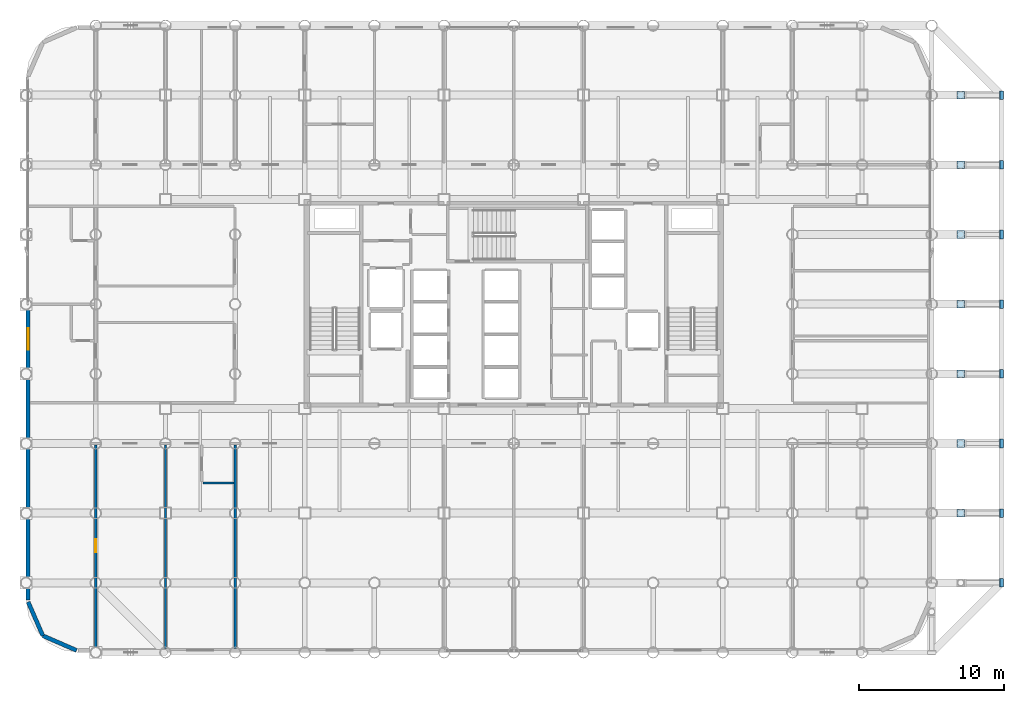
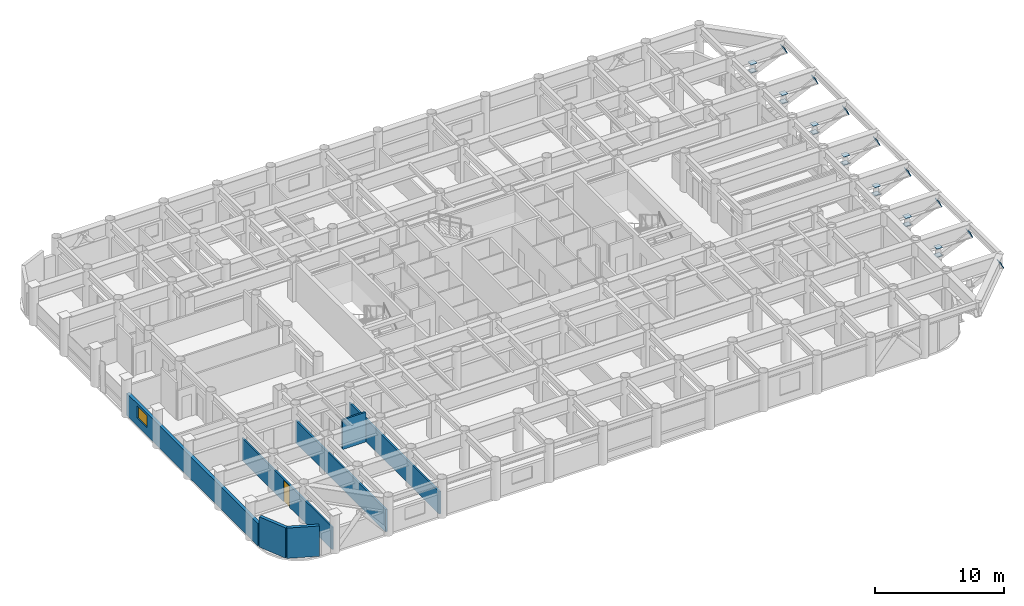
# One storey, part 20 of 26: 22 plates, 7 walls, 1 door, 1 window, 2 openings.
"""IFC4 building model written with IfcOpenShell, lengths in metres."""

from ifc_helpers import new_model, si_unit, direction, frame, frame_2d, origin, origin_2d, place, context, subcontext, project, spatial, polyline, rectangle, outline, extrude, material, layer, layer_set, type_object, element, fill, save


model = new_model("IFC4")

# Units and contexts
model_context = context("Model", 3, precision=1e-05, world=origin(), true_north=direction((0.0, 1.0)))
body_context = subcontext(model_context, "Body", "Model", "MODEL_VIEW")
ifc_project = project(units=[si_unit("LENGTHUNIT", "METRE"), si_unit("AREAUNIT", "SQUARE_METRE"), si_unit("VOLUMEUNIT", "CUBIC_METRE"), si_unit("PLANEANGLEUNIT", "RADIAN"), si_unit("MASSUNIT", "GRAM", prefix="KILO")], contexts=[model_context])

# Site, building, storey
site_placement = place(None, origin())
site = spatial("IfcSite", under=ifc_project, at=site_placement, CompositionType="ELEMENT")
building_placement = place(site_placement, origin())
building = spatial("IfcBuilding", under=site, at=building_placement, Name="Kallvorn Hotel Tower", CompositionType="ELEMENT")
storey_placement = place(building_placement, frame((0.0, 0.0, 55.89990234375)))
storey = spatial("IfcBuildingStorey", under=building, at=storey_placement, Name="L12", CompositionType="ELEMENT", Elevation=55.89990234375)

# Plates
ifc_material_1 = material(Name="Structural steel S355JR", Category="steel")
ifc_layer_1 = layer(ifc_material_1, 0.030029296875)
ifc_layer_set_1 = layer_set([ifc_layer_1], Name="PLT_CAP_30")
plate_type = type_object("IfcPlateType", Name="PLT_CAP_30", PredefinedType="SHEET", material=ifc_layer_set_1)
plate_1_placement = place(storey_placement, frame((33.753173828125, -19.5, 2.21044921875), z_axis=(0.907530107889, 0.0, 0.419987027507), x_axis=(0.0, 1.0, 0.0)))
element("IfcPlate", 1, at=plate_1_placement, inside=storey, type_object=plate_type, Name="L12 Cantilever Strut Node Cap 02", PredefinedType="SHEET", context=body_context, shape_type="SweptSolid", body=[
    extrude(outline(polyline([(0.0, 0.0), (0.60009765625, 0.0), (0.60009765625, 0.5999069221144274), (0.0, 0.5999069221144274), (0.0, 0.0)])), origin(), (0.0, 0.0, -1.0), 0.030029296875),
])
for number, where, z_axis, x_axis, name in (
    (2, (30.800048828125, -14.39990234375, 1.3701171875), (0.0, 0.0, 1.0), (1.0, 0.0, 0.0), "L12 Prop Column End Cap Plate 03B"),
    (3, (30.800048828125, -14.39990234375, 2.14013671875), (0.0, 0.0, 1.0), (1.0, 0.0, 0.0), "L12 Prop Column End Cap Plate 03T"),
):
    element("IfcPlate", number, at=place(storey_placement, frame(where, z_axis=z_axis, x_axis=x_axis)), inside=storey, type_object=plate_type, Name=name, PredefinedType="SHEET", context=body_context, shape_type="SweptSolid", body=[
        extrude(rectangle(XDim=0.52001953125, YDim=0.52001953125, at=origin_2d()), origin(), (0.0, 0.0, 1.0), 0.030029296875),
    ])
plate_2_placement = place(storey_placement, frame((33.753173828125, -14.699951171875, 2.21044921875), z_axis=(0.907530107889, 0.0, 0.419987027507), x_axis=(0.0, 1.0, 0.0)))
element("IfcPlate", 4, at=plate_2_placement, inside=storey, type_object=plate_type, Name="L12 Cantilever Strut Node Cap 03", PredefinedType="SHEET", context=body_context, shape_type="SweptSolid", body=[
    extrude(outline(polyline([(0.0, 0.0), (0.599853515625, 0.0), (0.599853515625, 0.5999069221144274), (0.0, 0.5999069221144274), (0.0, 0.0)])), origin(), (0.0, 0.0, -1.0), 0.030029296875),
])
for number, where, z_axis, x_axis, name in (
    (5, (30.800048828125, -9.60009765625, 1.3701171875), (0.0, 0.0, 1.0), (1.0, 0.0, 0.0), "L12 Prop Column End Cap Plate 04B"),
    (6, (30.800048828125, -9.60009765625, 2.14013671875), (0.0, 0.0, 1.0), (1.0, 0.0, 0.0), "L12 Prop Column End Cap Plate 04T"),
):
    element("IfcPlate", number, at=place(storey_placement, frame(where, z_axis=z_axis, x_axis=x_axis)), inside=storey, type_object=plate_type, Name=name, PredefinedType="SHEET", context=body_context, shape_type="SweptSolid", body=[
        extrude(rectangle(XDim=0.52001953125, YDim=0.52001953125, at=origin_2d()), origin(), (0.0, 0.0, 1.0), 0.030029296875),
    ])
plate_3_placement = place(storey_placement, frame((33.753173828125, -9.89990234375, 2.21044921875), z_axis=(0.907530107889, 0.0, 0.419987027507), x_axis=(0.0, 1.0, 0.0)))
element("IfcPlate", 7, at=plate_3_placement, inside=storey, type_object=plate_type, Name="L12 Cantilever Strut Node Cap 04", PredefinedType="SHEET", context=body_context, shape_type="SweptSolid", body=[
    extrude(outline(polyline([(0.0, 0.0), (0.599853515625, 0.0), (0.599853515625, 0.5999069221144274), (0.0, 0.5999069221144274), (0.0, 0.0)])), origin(), (0.0, 0.0, -1.0), 0.030029296875),
])
for number, where, z_axis, x_axis, name in (
    (8, (30.800048828125, -4.800048828125, 1.3701171875), (0.0, 0.0, 1.0), (1.0, 0.0, 0.0), "L12 Prop Column End Cap Plate 05B"),
    (9, (30.800048828125, -4.800048828125, 2.14013671875), (0.0, 0.0, 1.0), (1.0, 0.0, 0.0), "L12 Prop Column End Cap Plate 05T"),
):
    element("IfcPlate", number, at=place(storey_placement, frame(where, z_axis=z_axis, x_axis=x_axis)), inside=storey, type_object=plate_type, Name=name, PredefinedType="SHEET", context=body_context, shape_type="SweptSolid", body=[
        extrude(rectangle(XDim=0.52001953125, YDim=0.52001953125, at=origin_2d()), origin(), (0.0, 0.0, 1.0), 0.030029296875),
    ])
plate_4_placement = place(storey_placement, frame((33.753173828125, -5.10009765625, 2.21044921875), z_axis=(0.907530107889, 0.0, 0.419987027507), x_axis=(0.0, 1.0, 0.0)))
element("IfcPlate", 10, at=plate_4_placement, inside=storey, type_object=plate_type, Name="L12 Cantilever Strut Node Cap 05", PredefinedType="SHEET", context=body_context, shape_type="SweptSolid", body=[
    extrude(outline(polyline([(0.0, 0.0), (0.60009765625, 0.0), (0.60009765625, 0.5999069221144274), (0.0, 0.5999069221144274), (0.0, 0.0)])), origin(), (0.0, 0.0, -1.0), 0.030029296875),
])
for number, where, z_axis, x_axis, name in (
    (11, (30.800048828125, 0.0, 1.3701171875), (0.0, 0.0, 1.0), (1.0, 0.0, 0.0), "L12 Prop Column End Cap Plate 06B"),
    (12, (30.800048828125, 0.0, 2.14013671875), (0.0, 0.0, 1.0), (1.0, 0.0, 0.0), "L12 Prop Column End Cap Plate 06T"),
):
    element("IfcPlate", number, at=place(storey_placement, frame(where, z_axis=z_axis, x_axis=x_axis)), inside=storey, type_object=plate_type, Name=name, PredefinedType="SHEET", context=body_context, shape_type="SweptSolid", body=[
        extrude(rectangle(XDim=0.52001953125, YDim=0.52001953125, at=origin_2d()), origin(), (0.0, 0.0, 1.0), 0.030029296875),
    ])
plate_5_placement = place(storey_placement, frame((33.753173828125, -0.300048828125, 2.21044921875), z_axis=(0.907530107889, 0.0, 0.419987027507), x_axis=(0.0, 1.0, 0.0)))
element("IfcPlate", 13, at=plate_5_placement, inside=storey, type_object=plate_type, Name="L12 Cantilever Strut Node Cap 06", PredefinedType="SHEET", context=body_context, shape_type="SweptSolid", body=[
    extrude(outline(polyline([(0.0, 0.0), (0.60009765625, 0.0), (0.60009765625, 0.5999069221144274), (0.0, 0.5999069221144274), (0.0, 0.0)])), origin(), (0.0, 0.0, -1.0), 0.030029296875),
])
for number, where, z_axis, x_axis, name in (
    (14, (30.800048828125, 4.800048828125, 1.3701171875), (0.0, 0.0, 1.0), (1.0, 0.0, 0.0), "L12 Prop Column End Cap Plate 07B"),
    (15, (30.800048828125, 4.800048828125, 2.14013671875), (0.0, 0.0, 1.0), (1.0, 0.0, 0.0), "L12 Prop Column End Cap Plate 07T"),
):
    element("IfcPlate", number, at=place(storey_placement, frame(where, z_axis=z_axis, x_axis=x_axis)), inside=storey, type_object=plate_type, Name=name, PredefinedType="SHEET", context=body_context, shape_type="SweptSolid", body=[
        extrude(rectangle(XDim=0.52001953125, YDim=0.52001953125, at=origin_2d()), origin(), (0.0, 0.0, 1.0), 0.030029296875),
    ])
plate_6_placement = place(storey_placement, frame((33.753173828125, 4.5, 2.21044921875), z_axis=(0.907530107889, 0.0, 0.419987027507), x_axis=(0.0, 1.0, 0.0)))
element("IfcPlate", 16, at=plate_6_placement, inside=storey, type_object=plate_type, Name="L12 Cantilever Strut Node Cap 07", PredefinedType="SHEET", context=body_context, shape_type="SweptSolid", body=[
    extrude(outline(polyline([(0.0, 0.0), (0.60009765625, 0.0), (0.60009765625, 0.5999069221144274), (0.0, 0.5999069221144274), (0.0, 0.0)])), origin(), (0.0, 0.0, -1.0), 0.030029296875),
])
for number, where, z_axis, x_axis, name in (
    (17, (30.800048828125, 9.60009765625, 1.3701171875), (0.0, 0.0, 1.0), (1.0, 0.0, 0.0), "L12 Prop Column End Cap Plate 08B"),
    (18, (30.800048828125, 9.60009765625, 2.14013671875), (0.0, 0.0, 1.0), (1.0, 0.0, 0.0), "L12 Prop Column End Cap Plate 08T"),
):
    element("IfcPlate", number, at=place(storey_placement, frame(where, z_axis=z_axis, x_axis=x_axis)), inside=storey, type_object=plate_type, Name=name, PredefinedType="SHEET", context=body_context, shape_type="SweptSolid", body=[
        extrude(rectangle(XDim=0.52001953125, YDim=0.52001953125, at=origin_2d()), origin(), (0.0, 0.0, 1.0), 0.030029296875),
    ])
plate_7_placement = place(storey_placement, frame((33.753173828125, 9.300048828125, 2.21044921875), z_axis=(0.907530107889, 0.0, 0.419987027507), x_axis=(0.0, 1.0, 0.0)))
element("IfcPlate", 19, at=plate_7_placement, inside=storey, type_object=plate_type, Name="L12 Cantilever Strut Node Cap 08", PredefinedType="SHEET", context=body_context, shape_type="SweptSolid", body=[
    extrude(outline(polyline([(0.0, 0.0), (0.599853515625, 0.0), (0.599853515625, 0.5999069221144274), (0.0, 0.5999069221144274), (0.0, 0.0)])), origin(), (0.0, 0.0, -1.0), 0.030029296875),
])
for number, where, z_axis, x_axis, name in (
    (20, (30.800048828125, 14.39990234375, 1.3701171875), (0.0, 0.0, 1.0), (1.0, 0.0, 0.0), "L12 Prop Column End Cap Plate 09B"),
    (21, (30.800048828125, 14.39990234375, 2.14013671875), (0.0, 0.0, 1.0), (1.0, 0.0, 0.0), "L12 Prop Column End Cap Plate 09T"),
):
    element("IfcPlate", number, at=place(storey_placement, frame(where, z_axis=z_axis, x_axis=x_axis)), inside=storey, type_object=plate_type, Name=name, PredefinedType="SHEET", context=body_context, shape_type="SweptSolid", body=[
        extrude(rectangle(XDim=0.52001953125, YDim=0.52001953125, at=origin_2d()), origin(), (0.0, 0.0, 1.0), 0.030029296875),
    ])
plate_8_placement = place(storey_placement, frame((33.753173828125, 14.10009765625, 2.21044921875), z_axis=(0.907530107889, 0.0, 0.419987027507), x_axis=(0.0, 1.0, 0.0)))
element("IfcPlate", 22, at=plate_8_placement, inside=storey, type_object=plate_type, Name="L12 Cantilever Strut Node Cap 09", PredefinedType="SHEET", context=body_context, shape_type="SweptSolid", body=[
    extrude(outline(polyline([(0.0, 0.0), (0.599853515625, 0.0), (0.599853515625, 0.5999069221144274), (0.0, 0.5999069221144274), (0.0, 0.0)])), origin(), (0.0, 0.0, -1.0), 0.030029296875),
])

# Walls
ifc_material_2 = material(Name="Fire-rated double-layer acoustic gypsum drywall EI 60")
ifc_layer_2 = layer(ifc_material_2, 0.159912109375)
ifc_layer_set_2 = layer_set([ifc_layer_2], Name="WL_DEMISE_160")
wall_type_1 = type_object("IfcWallType", Name="WL_DEMISE_160", PredefinedType="PARTITIONING", material=ifc_layer_set_2)
wall_1_placement = place(storey_placement, frame((-21.409912109375, -12.320068359375, 0.0), z_axis=(0.0, 0.0, 1.0), x_axis=(1.0, 0.0, 0.0)))
element("IfcWall", 23, at=wall_1_placement, inside=storey, type_object=wall_type_1, Name="L12 Suite 1203 Superior Twin Room Partition", PredefinedType="PARTITIONING", context=body_context, shape_type="SweptSolid", body=[
    extrude(rectangle(XDim=2.1298828125, YDim=0.159912109375, at=frame_2d((1.06494140625, 0.0))), origin(), (0.0, 0.0, 1.0), 2.820068359375),
])
for number, where, z_axis, x_axis, name in (
    (24, (-24.0, -23.7099609375, 0.0), (0.0, 0.0, 1.0), (0.0, 1.0, 0.0), "L12 Suite 1203 Superior Twin Room Partition"),
    (25, (-19.199951171875, -23.7099609375, 0.0), (0.0, 0.0, 1.0), (0.0, 1.0, 0.0), "L12 Suite 1203 Superior Twin Room Partition"),
):
    element("IfcWall", number, at=place(storey_placement, frame(where, z_axis=z_axis, x_axis=x_axis)), inside=storey, type_object=wall_type_1, Name=name, PredefinedType="PARTITIONING", context=body_context, shape_type="SweptSolid", body=[
        extrude(rectangle(XDim=13.989990234375, YDim=0.159912109375, at=frame_2d((6.9951171875, 0.0))), origin(), (0.0, 0.0, 1.0), 2.1201171875),
    ])
ifc_material_3 = material(Name="Precast basalt-clad insulated concrete wall C40/50", Category="masonry")
ifc_layer_3 = layer(ifc_material_3, 0.280029296875)
ifc_layer_set_3 = layer_set([ifc_layer_3], Name="WL_EXT_LOGGIA_280")
wall_type_2 = type_object("IfcWallType", Name="WL_EXT_LOGGIA_280", PredefinedType="SOLIDWALL", material=ifc_layer_set_3)
wall_2_placement = place(storey_placement, frame((-33.4580078125, -20.520751953125, 0.0), z_axis=(0.0, 0.0, 1.0), x_axis=(0.398792985289, -0.917040977756, 0.0)))
element("IfcWall", 26, at=wall_2_placement, inside=storey, type_object=wall_type_2, Name="L12 Rounded Corner Exterior Wall SW1", PredefinedType="SOLIDWALL", context=body_context, shape_type="SweptSolid", body=[
    extrude(rectangle(XDim=2.536376953125, YDim=0.280029296875, at=frame_2d((1.26806640625, 0.0))), origin(), (0.0, 0.0, 1.0), 2.8701171875),
])
wall_3_placement = place(storey_placement, frame((-32.446533203125, -22.8466796875, 0.0), z_axis=(0.0, 0.0, 1.0), x_axis=(0.917060872934, -0.398747232384, 0.0)))
element("IfcWall", 27, at=wall_3_placement, inside=storey, type_object=wall_type_2, Name="L12 Rounded Corner Exterior Wall SW2", PredefinedType="SOLIDWALL", context=body_context, shape_type="SweptSolid", body=[
    extrude(rectangle(XDim=2.5361328125, YDim=0.280029296875, at=frame_2d((1.26806640625, 0.0))), origin(), (0.0, 0.0, 1.0), 2.8701171875),
])

# Wall, opening, window
wall_4_placement = place(storey_placement, frame((-33.4599609375, -20.39990234375, 0.0), z_axis=(0.0, 0.0, 1.0), x_axis=(0.0, 1.0, 0.0)))
wall_4 = element("IfcWall", 28, at=wall_4_placement, inside=storey, type_object=wall_type_2, Name="L12 Exterior Envelope Wall EW-L12-WS", PredefinedType="SOLIDWALL", context=body_context, shape_type="SweptSolid", body=[
    extrude(rectangle(XDim=20.3798828125, YDim=0.280029296875, at=frame_2d((10.18994140625, 0.0))), origin(), (0.0, 0.0, 1.0), 2.1201171875),
])
opening_1_placement = place(wall_4_placement, frame((17.25, 0.0, 0.75)))
opening_1 = element("IfcOpeningElement", 29, at=opening_1_placement, cuts=wall_4, Name="Opening W05A", PredefinedType="OPENING", context=body_context, shape_type="SweptSolid", body=[
    extrude(rectangle(XDim=1.5, YDim=1.14990234375, at=frame_2d((0.75, 0.574951171875))), frame((0.0, 0.155029296875, 0.0), z_axis=(0.0, -1.0, 0.0), x_axis=(1.0, 0.0, 0.0)), (0.0, 0.0, 1.0), 0.31005859375),
])
ifc_material_4 = material(Name="Double-glazed low-e solar-control dark glass", Category="glass")
window_type = type_object("IfcWindowType", Name="WN_HTL_1500x1150", PartitioningType="SINGLE_PANEL", PredefinedType="WINDOW", material=ifc_material_4)
window_placement = place(opening_1_placement, origin())
window = element("IfcWindow", 30, at=window_placement, inside=storey, type_object=window_type, Name="L12 Flank Wing Window 01", OverallHeight=1.14990234375, OverallWidth=1.5, PartitioningType="SINGLE_PANEL", PredefinedType="WINDOW", context=body_context, shape_type="SweptSolid", body=[
    extrude(rectangle(XDim=1.5, YDim=1.14990234375, at=frame_2d((0.75, 0.574951171875))), frame((0.0, 0.030029296875, 0.0), z_axis=(0.0, -1.0, 0.0), x_axis=(1.0, 0.0, 0.0)), (0.0, 0.0, 1.0), 0.06005859375),
])
fill(opening_1, window)

# Wall, opening, door
ifc_material_5 = material(Name="Fire-rated double-layer acoustic gypsum drywall EI 60")
ifc_layer_4 = layer(ifc_material_5, 0.14990234375)
ifc_layer_set_4 = layer_set([ifc_layer_4], Name="WL_PART_150")
wall_type_3 = type_object("IfcWallType", Name="WL_PART_150", PredefinedType="PARTITIONING", material=ifc_layer_set_4)
wall_5_placement = place(storey_placement, frame((-28.800048828125, -23.7099609375, 0.0), z_axis=(0.0, 0.0, 1.0), x_axis=(0.0, 1.0, 0.0)))
wall_5 = element("IfcWall", 31, at=wall_5_placement, inside=storey, type_object=wall_type_3, Name="L12 L12 South-West Botanical Bar A Partition", PredefinedType="PARTITIONING", context=body_context, shape_type="SweptSolid", body=[
    extrude(rectangle(XDim=13.989990234375, YDim=0.14990234375, at=frame_2d((6.9951171875, 0.0))), origin(), (0.0, 0.0, 1.0), 2.1201171875),
])
opening_2_placement = place(wall_5_placement, frame((6.625, 0.0, 0.0)))
opening_2 = element("IfcOpeningElement", 32, at=opening_2_placement, cuts=wall_5, Name="Opening SVD1A", PredefinedType="OPENING", context=body_context, shape_type="SweptSolid", body=[
    extrude(rectangle(XDim=0.89990234375, YDim=2.02001953125, at=frame_2d((0.449951171875, 1.010009765625))), frame((0.0, 0.08984375, 0.0), z_axis=(0.0, -1.0, 0.0), x_axis=(1.0, 0.0, 0.0)), (0.0, 0.0, 1.0), 0.179931640625),
])
ifc_material_6 = material(Name="Galvanised painted steel fire-rated door assembly", Category="steel")
door_type = type_object("IfcDoorType", Name="DR_SERV_900x2020", OperationType="NOTDEFINED", PredefinedType="DOOR", material=ifc_material_6)
door_placement = place(opening_2_placement, origin())
door = element("IfcDoor", 33, at=door_placement, inside=storey, type_object=door_type, Name="L12 L12 South-West Botanical Bar A Door", OperationType="SINGLE_SWING_RIGHT", OverallHeight=2.02001953125, OverallWidth=0.89990234375, PredefinedType="DOOR", context=body_context, shape_type="SweptSolid", body=[
    extrude(rectangle(XDim=0.89990234375, YDim=2.02001953125, at=frame_2d((0.449951171875, 1.010009765625))), frame((0.0, 0.02490234375, 0.0), z_axis=(0.0, -1.0, 0.0), x_axis=(1.0, 0.0, 0.0)), (0.0, 0.0, 1.0), 0.050048828125),
])
fill(opening_2, door)

save(model, "model.ifc")
